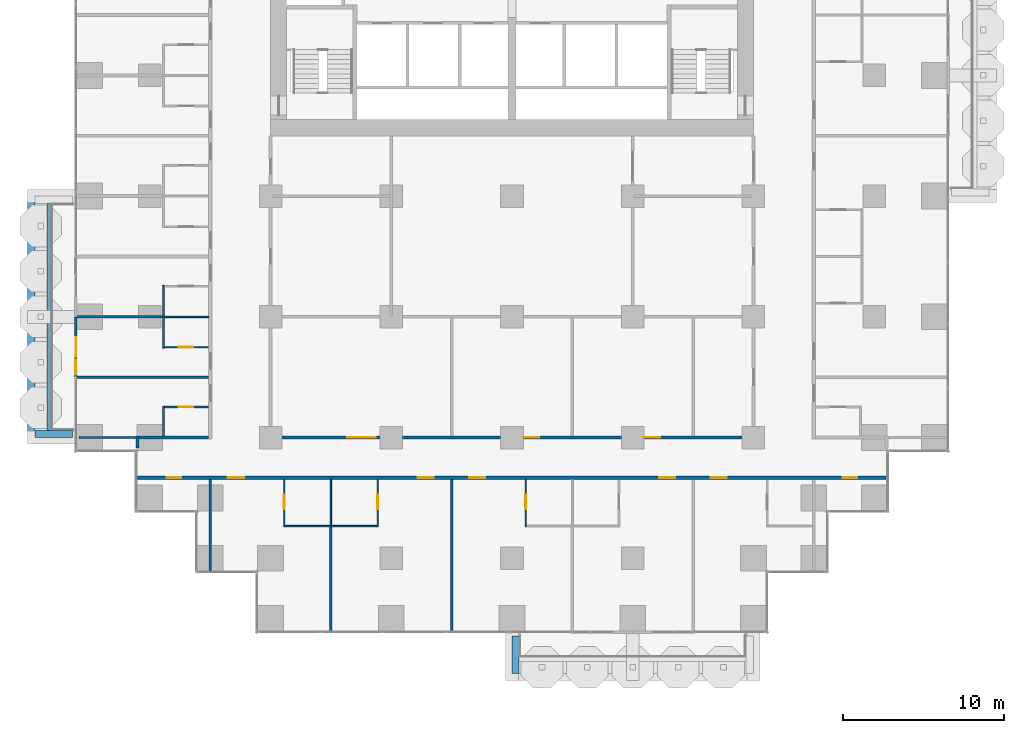
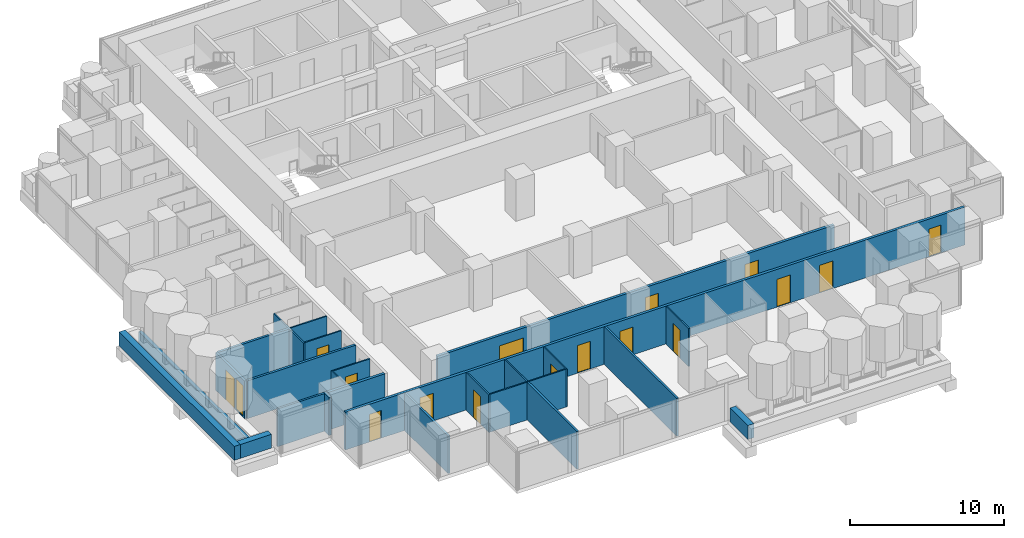
# One storey, part 10 of 18: 25 walls, 16 doors, 1 window, 17 openings.
"""IFC4 building model written with IfcOpenShell, lengths in metres."""

from ifc_helpers import new_model, si_unit, direction, frame, frame_2d, origin, place, context, subcontext, project, spatial, rectangle, extrude, material, layer, layer_set, type_object, element, fill, save


model = new_model("IFC4")

# Units and contexts
model_context = context("Model", 3, precision=1e-05, world=origin(), true_north=direction((0.0, 1.0)))
body_context = subcontext(model_context, "Body", "Model", "MODEL_VIEW")
ifc_project = project(units=[si_unit("LENGTHUNIT", "METRE"), si_unit("AREAUNIT", "SQUARE_METRE"), si_unit("VOLUMEUNIT", "CUBIC_METRE"), si_unit("PLANEANGLEUNIT", "RADIAN"), si_unit("MASSUNIT", "GRAM", prefix="KILO")], contexts=[model_context])

# Site, building, storey
site_placement = place(None, origin())
site = spatial("IfcSite", under=ifc_project, at=site_placement, CompositionType="ELEMENT")
building_placement = place(site_placement, origin())
building = spatial("IfcBuilding", under=site, at=building_placement, Name="Pilkhan Gate Tower", CompositionType="ELEMENT")
storey_placement = place(building_placement, frame((0.0, 0.0, 52.699951171875)))
storey = spatial("IfcBuildingStorey", under=building, at=storey_placement, Name="L10", CompositionType="ELEMENT", Elevation=52.699951171875)

# Walls
ifc_material_1 = material(Name="Dense blockwork", Category="masonry")
ifc_layer_1 = layer(ifc_material_1, 0.175048828125)
ifc_layer_set_1 = layer_set([ifc_layer_1], Name="Acoustic party wall PW175")
wall_type_1 = type_object("IfcWallType", Name="Acoustic party wall PW175", PredefinedType="PARTITIONING", material=ifc_layer_set_1)
wall_1_placement = place(storey_placement, frame((47.985107421875, 56.25, 0.0), z_axis=(0.0, 0.0, 1.0), x_axis=(1.0, 0.0, 0.0)))
element("IfcWall", 1, at=wall_1_placement, inside=storey, type_object=wall_type_1, Name="Partition L10", PredefinedType="PARTITIONING", context=body_context, shape_type="SweptSolid", body=[
    extrude(rectangle(XDim=8.164794921875, YDim=0.175048828125, at=frame_2d((4.08251953125, 0.0))), origin(), (0.0, 0.0, 1.0), 3.0),
])
wall_2_placement = place(storey_placement, frame((47.985107421875, 60.0, 0.0), z_axis=(0.0, 0.0, 1.0), x_axis=(1.0, 0.0, 0.0)))
element("IfcWall", 2, at=wall_2_placement, inside=storey, type_object=wall_type_1, Name="Partition L10", PredefinedType="PARTITIONING", context=body_context, shape_type="SweptSolid", body=[
    extrude(rectangle(XDim=5.31494140625, YDim=0.175048828125, at=frame_2d((2.657470703125, 0.0))), origin(), (0.0, 0.0, 1.0), 3.0),
])
ifc_material_2 = material(Name="Concrete C40/50", Category="concrete")
ifc_layer_2 = layer(ifc_material_2, 0.25)
ifc_layer_set_2 = layer_set([ifc_layer_2], Name="Balcony planter BP250")
wall_type_2 = type_object("IfcWallType", Name="Balcony planter BP250", PredefinedType="USERDEFINED", material=ifc_layer_set_2)
wall_3_placement = place(storey_placement, frame((46.22509765625, 52.949951171875, 0.0), z_axis=(0.0, 0.0, 1.0), x_axis=(0.0, 1.0, 0.0)))
element("IfcWall", 3, at=wall_3_placement, inside=storey, type_object=wall_type_2, Name="Balcony planter L10 W", ObjectType="BALCONY PLANTER", PredefinedType="USERDEFINED", context=body_context, shape_type="SweptSolid", body=[
    extrude(rectangle(XDim=14.10009765625, YDim=0.25, at=frame_2d((7.050048828125, 0.0))), origin(), (0.0, 0.0, 1.0), 1.0),
])
ifc_material_3 = material(Name="Board-marked Concrete C40/50", Category="concrete")
ifc_layer_3 = layer(ifc_material_3, 0.449951171875)
ifc_layer_set_3 = layer_set([ifc_layer_3], Name="Balcony planter lip BL450")
wall_type_3 = type_object("IfcWallType", Name="Balcony planter lip BL450", PredefinedType="USERDEFINED", material=ifc_layer_set_3)
wall_4_placement = place(storey_placement, frame((75.22509765625, 40.179931640625, 0.0), z_axis=(0.0, 0.0, 1.0), x_axis=(0.0, -1.0, 0.0)))
element("IfcWall", 4, at=wall_4_placement, inside=storey, type_object=wall_type_3, Name="Balcony planter L10 S", ObjectType="BALCONY PLANTER", PredefinedType="USERDEFINED", context=body_context, shape_type="SweptSolid", body=[
    extrude(rectangle(XDim=2.329833984375, YDim=0.449951171875, at=frame_2d((1.1650390625, 0.0))), origin(), (0.0, 0.0, 1.0), 1.10009765625),
])
wall_5_placement = place(storey_placement, frame((45.125, 52.5, 0.0), z_axis=(0.0, 0.0, 1.0), x_axis=(0.0, 1.0, 0.0)))
element("IfcWall", 5, at=wall_5_placement, inside=storey, type_object=wall_type_3, Name="Balcony planter L10 W", ObjectType="BALCONY PLANTER", PredefinedType="USERDEFINED", context=body_context, shape_type="SweptSolid", body=[
    extrude(rectangle(XDim=15.0, YDim=0.449951171875, at=frame_2d((7.5, 0.0))), origin(), (0.0, 0.0, 1.0), 1.10009765625),
])
wall_6_placement = place(storey_placement, frame((47.679931640625, 52.72509765625, 0.0), z_axis=(0.0, 0.0, 1.0), x_axis=(-1.0, 0.0, 0.0)))
element("IfcWall", 6, at=wall_6_placement, inside=storey, type_object=wall_type_3, Name="Balcony planter L10 W", ObjectType="BALCONY PLANTER", PredefinedType="USERDEFINED", context=body_context, shape_type="SweptSolid", body=[
    extrude(rectangle(XDim=2.329833984375, YDim=0.449951171875, at=frame_2d((1.1650390625, 0.0))), origin(), (0.0, 0.0, 1.0), 1.10009765625),
])

# Wall, openings, doors
ifc_layer_4 = layer(ifc_material_1, 0.199951171875)
ifc_layer_set_4 = layer_set([ifc_layer_4], Name="Corridor wall FW200")
wall_type_4 = type_object("IfcWallType", Name="Corridor wall FW200", PredefinedType="PARTITIONING", material=ifc_layer_set_4)
wall_7_placement = place(storey_placement, frame((51.735107421875, 50.0, 0.0), z_axis=(0.0, 0.0, 1.0), x_axis=(1.0, 0.0, 0.0)))
wall_7 = element("IfcWall", 7, at=wall_7_placement, inside=storey, type_object=wall_type_4, Name="Partition L10", PredefinedType="PARTITIONING", context=body_context, shape_type="SweptSolid", body=[
    extrude(rectangle(XDim=46.52978515625, YDim=0.199951171875, at=frame_2d((23.264892578125, 0.0))), origin(), (0.0, 0.0, 1.0), 3.0),
])
opening_1_placement = place(wall_7_placement, frame((5.614990234375, 0.0, 0.0)))
opening_1 = element("IfcOpeningElement", 8, at=opening_1_placement, cuts=wall_7, Name="Opening L10-06", PredefinedType="OPENING", context=body_context, shape_type="SweptSolid", body=[
    extrude(rectangle(XDim=1.0, YDim=2.199951171875, at=frame_2d((0.5, 1.10009765625))), frame((0.0, 0.10986328125, 0.0), z_axis=(0.0, -1.0, 0.0), x_axis=(1.0, 0.0, 0.0)), (0.0, 0.0, 1.0), 0.219970703125),
])
opening_2_placement = place(wall_7_placement, frame((17.4150390625, 0.0, 0.0)))
opening_2 = element("IfcOpeningElement", 9, at=opening_2_placement, cuts=wall_7, Name="Opening L10-08", PredefinedType="OPENING", context=body_context, shape_type="SweptSolid", body=[
    extrude(rectangle(XDim=1.0, YDim=2.199951171875, at=frame_2d((0.5, 1.10009765625))), frame((0.0, 0.10986328125, 0.0), z_axis=(0.0, -1.0, 0.0), x_axis=(1.0, 0.0, 0.0)), (0.0, 0.0, 1.0), 0.219970703125),
])
opening_3_placement = place(wall_7_placement, frame((20.614990234375, 0.0, 0.0)))
opening_3 = element("IfcOpeningElement", 10, at=opening_3_placement, cuts=wall_7, Name="Opening L10-10", PredefinedType="OPENING", context=body_context, shape_type="SweptSolid", body=[
    extrude(rectangle(XDim=1.0, YDim=2.199951171875, at=frame_2d((0.5, 1.10009765625))), frame((0.0, 0.10986328125, 0.0), z_axis=(0.0, -1.0, 0.0), x_axis=(1.0, 0.0, 0.0)), (0.0, 0.0, 1.0), 0.219970703125),
])
opening_4_placement = place(wall_7_placement, frame((32.4150390625, 0.0, 0.0)))
opening_4 = element("IfcOpeningElement", 11, at=opening_4_placement, cuts=wall_7, Name="Opening L10-12", PredefinedType="OPENING", context=body_context, shape_type="SweptSolid", body=[
    extrude(rectangle(XDim=1.0, YDim=2.199951171875, at=frame_2d((0.5, 1.10009765625))), frame((0.0, 0.10986328125, 0.0), z_axis=(0.0, -1.0, 0.0), x_axis=(1.0, 0.0, 0.0)), (0.0, 0.0, 1.0), 0.219970703125),
])
opening_5_placement = place(wall_7_placement, frame((35.614990234375, 0.0, 0.0)))
opening_5 = element("IfcOpeningElement", 12, at=opening_5_placement, cuts=wall_7, Name="Opening L10-14", PredefinedType="OPENING", context=body_context, shape_type="SweptSolid", body=[
    extrude(rectangle(XDim=1.0, YDim=2.199951171875, at=frame_2d((0.5, 1.10009765625))), frame((0.0, 0.10986328125, 0.0), z_axis=(0.0, -1.0, 0.0), x_axis=(1.0, 0.0, 0.0)), (0.0, 0.0, 1.0), 0.219970703125),
])
opening_6_placement = place(wall_7_placement, frame((1.800048828125, 0.0, 0.0)))
opening_6 = element("IfcOpeningElement", 13, at=opening_6_placement, cuts=wall_7, Name="Opening L10-47", PredefinedType="OPENING", context=body_context, shape_type="SweptSolid", body=[
    extrude(rectangle(XDim=0.89990234375, YDim=2.199951171875, at=frame_2d((0.449951171875, 1.10009765625))), frame((0.0, 0.10986328125, 0.0), z_axis=(0.0, -1.0, 0.0), x_axis=(1.0, 0.0, 0.0)), (0.0, 0.0, 1.0), 0.219970703125),
])
opening_7_placement = place(wall_7_placement, frame((43.81494140625, 0.0, 0.0)))
opening_7 = element("IfcOpeningElement", 14, at=opening_7_placement, cuts=wall_7, Name="Opening L10-48", PredefinedType="OPENING", context=body_context, shape_type="SweptSolid", body=[
    extrude(rectangle(XDim=0.89990234375, YDim=2.199951171875, at=frame_2d((0.449951171875, 1.10009765625))), frame((0.0, 0.10986328125, 0.0), z_axis=(0.0, -1.0, 0.0), x_axis=(1.0, 0.0, 0.0)), (0.0, 0.0, 1.0), 0.219970703125),
])
ifc_material_4 = material(Name="Timber flush door, 30 minute fire resisting", Category="wood")
door_type_1 = type_object("IfcDoorType", Name="Guest room door D01 1000x2200", OperationType="SINGLE_SWING_LEFT", PredefinedType="DOOR", material=ifc_material_4)
door_1_placement = place(opening_1_placement, origin())
door_1 = element("IfcDoor", 15, at=door_1_placement, inside=storey, type_object=door_type_1, Name="Guest room door", OperationType="SINGLE_SWING_LEFT", OverallHeight=2.199951171875, OverallWidth=1.0, PredefinedType="DOOR", context=body_context, shape_type="SweptSolid", body=[
    extrude(rectangle(XDim=1.0, YDim=2.199951171875, at=frame_2d((0.5, 1.10009765625))), frame((0.0, 0.02490234375, 0.0), z_axis=(0.0, -1.0, 0.0), x_axis=(1.0, 0.0, 0.0)), (0.0, 0.0, 1.0), 0.050048828125),
])
fill(opening_1, door_1)
door_2_placement = place(opening_2_placement, origin())
door_2 = element("IfcDoor", 16, at=door_2_placement, inside=storey, type_object=door_type_1, Name="Guest room door", OperationType="SINGLE_SWING_LEFT", OverallHeight=2.199951171875, OverallWidth=1.0, PredefinedType="DOOR", context=body_context, shape_type="SweptSolid", body=[
    extrude(rectangle(XDim=1.0, YDim=2.199951171875, at=frame_2d((0.5, 1.10009765625))), frame((0.0, 0.02490234375, 0.0), z_axis=(0.0, -1.0, 0.0), x_axis=(1.0, 0.0, 0.0)), (0.0, 0.0, 1.0), 0.050048828125),
])
fill(opening_2, door_2)
door_3_placement = place(opening_3_placement, origin())
door_3 = element("IfcDoor", 17, at=door_3_placement, inside=storey, type_object=door_type_1, Name="Guest room door", OperationType="SINGLE_SWING_LEFT", OverallHeight=2.199951171875, OverallWidth=1.0, PredefinedType="DOOR", context=body_context, shape_type="SweptSolid", body=[
    extrude(rectangle(XDim=1.0, YDim=2.199951171875, at=frame_2d((0.5, 1.10009765625))), frame((0.0, 0.02490234375, 0.0), z_axis=(0.0, -1.0, 0.0), x_axis=(1.0, 0.0, 0.0)), (0.0, 0.0, 1.0), 0.050048828125),
])
fill(opening_3, door_3)
door_4_placement = place(opening_4_placement, origin())
door_4 = element("IfcDoor", 18, at=door_4_placement, inside=storey, type_object=door_type_1, Name="Guest room door", OperationType="SINGLE_SWING_RIGHT", OverallHeight=2.199951171875, OverallWidth=1.0, PredefinedType="DOOR", context=body_context, shape_type="SweptSolid", body=[
    extrude(rectangle(XDim=1.0, YDim=2.199951171875, at=frame_2d((0.5, 1.10009765625))), frame((0.0, 0.02490234375, 0.0), z_axis=(0.0, -1.0, 0.0), x_axis=(1.0, 0.0, 0.0)), (0.0, 0.0, 1.0), 0.050048828125),
])
fill(opening_4, door_4)
door_5_placement = place(opening_5_placement, origin())
door_5 = element("IfcDoor", 19, at=door_5_placement, inside=storey, type_object=door_type_1, Name="Guest room door", OperationType="SINGLE_SWING_LEFT", OverallHeight=2.199951171875, OverallWidth=1.0, PredefinedType="DOOR", context=body_context, shape_type="SweptSolid", body=[
    extrude(rectangle(XDim=1.0, YDim=2.199951171875, at=frame_2d((0.5, 1.10009765625))), frame((0.0, 0.02490234375, 0.0), z_axis=(0.0, -1.0, 0.0), x_axis=(1.0, 0.0, 0.0)), (0.0, 0.0, 1.0), 0.050048828125),
])
fill(opening_5, door_5)
ifc_material_5 = material(Name="Timber flush door, 60 minute fire resisting, self-closing", Category="wood")
door_type_2 = type_object("IfcDoorType", Name="Store door D05 900x2200", OperationType="SINGLE_SWING_LEFT", PredefinedType="DOOR", material=ifc_material_5)
door_6_placement = place(opening_6_placement, origin())
door_6 = element("IfcDoor", 20, at=door_6_placement, inside=storey, type_object=door_type_2, Name="Store door", OperationType="SINGLE_SWING_LEFT", OverallHeight=2.199951171875, OverallWidth=0.89990234375, PredefinedType="DOOR", context=body_context, shape_type="SweptSolid", body=[
    extrude(rectangle(XDim=0.89990234375, YDim=2.199951171875, at=frame_2d((0.449951171875, 1.10009765625))), frame((0.0, 0.02490234375, 0.0), z_axis=(0.0, -1.0, 0.0), x_axis=(1.0, 0.0, 0.0)), (0.0, 0.0, 1.0), 0.050048828125),
])
fill(opening_6, door_6)
door_7_placement = place(opening_7_placement, origin())
door_7 = element("IfcDoor", 21, at=door_7_placement, inside=storey, type_object=door_type_2, Name="Store door", OperationType="SINGLE_SWING_LEFT", OverallHeight=2.199951171875, OverallWidth=0.89990234375, PredefinedType="DOOR", context=body_context, shape_type="SweptSolid", body=[
    extrude(rectangle(XDim=0.89990234375, YDim=2.199951171875, at=frame_2d((0.449951171875, 1.10009765625))), frame((0.0, 0.02490234375, 0.0), z_axis=(0.0, -1.0, 0.0), x_axis=(1.0, 0.0, 0.0)), (0.0, 0.0, 1.0), 0.050048828125),
])
fill(opening_7, door_7)

# Wall
wall_8_placement = place(storey_placement, frame((51.8349609375, 52.5, 0.0), z_axis=(0.0, 0.0, 1.0), x_axis=(1.0, 0.0, 0.0)))
element("IfcWall", 22, at=wall_8_placement, inside=storey, type_object=wall_type_4, Name="Partition L10", PredefinedType="PARTITIONING", context=body_context, shape_type="SweptSolid", body=[
    extrude(rectangle(XDim=4.31494140625, YDim=0.199951171875, at=frame_2d((2.157470703125, 0.0))), origin(), (0.0, 0.0, 1.0), 3.0),
])

# Wall, openings, doors
wall_9_placement = place(storey_placement, frame((60.10009765625, 52.5, 0.0), z_axis=(0.0, 0.0, 1.0), x_axis=(1.0, 0.0, 0.0)))
wall_9 = element("IfcWall", 23, at=wall_9_placement, inside=storey, type_object=wall_type_4, Name="Partition L10", PredefinedType="PARTITIONING", context=body_context, shape_type="SweptSolid", body=[
    extrude(rectangle(XDim=29.7998046875, YDim=0.199951171875, at=frame_2d((14.89990234375, 0.0))), origin(), (0.0, 0.0, 1.0), 3.0),
])
opening_8_placement = place(wall_9_placement, frame((4.64990234375, 0.0, 0.0)))
opening_8 = element("IfcOpeningElement", 24, at=opening_8_placement, cuts=wall_9, Name="Opening L10-51", PredefinedType="OPENING", context=body_context, shape_type="SweptSolid", body=[
    extrude(rectangle(XDim=1.800048828125, YDim=2.199951171875, at=frame_2d((0.89990234375, 1.10009765625))), frame((0.0, 0.10986328125, 0.0), z_axis=(0.0, -1.0, 0.0), x_axis=(1.0, 0.0, 0.0)), (0.0, 0.0, 1.0), 0.219970703125),
])
opening_9_placement = place(wall_9_placement, frame((15.60009765625, 0.0, 0.0)))
opening_9 = element("IfcOpeningElement", 25, at=opening_9_placement, cuts=wall_9, Name="Opening L10-52", PredefinedType="OPENING", context=body_context, shape_type="SweptSolid", body=[
    extrude(rectangle(XDim=1.0, YDim=2.199951171875, at=frame_2d((0.5, 1.10009765625))), frame((0.0, 0.10986328125, 0.0), z_axis=(0.0, -1.0, 0.0), x_axis=(1.0, 0.0, 0.0)), (0.0, 0.0, 1.0), 0.219970703125),
])
opening_10_placement = place(wall_9_placement, frame((23.10009765625, 0.0, 0.0)))
opening_10 = element("IfcOpeningElement", 26, at=opening_10_placement, cuts=wall_9, Name="Opening L10-53", PredefinedType="OPENING", context=body_context, shape_type="SweptSolid", body=[
    extrude(rectangle(XDim=1.0, YDim=2.199951171875, at=frame_2d((0.5, 1.10009765625))), frame((0.0, 0.10986328125, 0.0), z_axis=(0.0, -1.0, 0.0), x_axis=(1.0, 0.0, 0.0)), (0.0, 0.0, 1.0), 0.219970703125),
])
ifc_material_6 = material(Name="Timber glazed double door, 30 minute fire resisting", Category="wood")
door_type_3 = type_object("IfcDoorType", Name="Double door D04 1800x2200", OperationType="DOUBLE_DOOR_SINGLE_SWING", PredefinedType="DOOR", material=ifc_material_6)
door_8_placement = place(opening_8_placement, origin())
door_8 = element("IfcDoor", 27, at=door_8_placement, inside=storey, type_object=door_type_3, Name="Double door", OperationType="DOUBLE_DOOR_SINGLE_SWING", OverallHeight=2.199951171875, OverallWidth=1.800048828125, PredefinedType="DOOR", context=body_context, shape_type="SweptSolid", body=[
    extrude(rectangle(XDim=1.800048828125, YDim=2.199951171875, at=frame_2d((0.89990234375, 1.10009765625))), frame((0.0, 0.02490234375, 0.0), z_axis=(0.0, -1.0, 0.0), x_axis=(1.0, 0.0, 0.0)), (0.0, 0.0, 1.0), 0.050048828125),
])
fill(opening_8, door_8)
door_type_4 = type_object("IfcDoorType", Name="Room door D03 1000x2200", OperationType="SINGLE_SWING_LEFT", PredefinedType="DOOR", material=ifc_material_4)
door_9_placement = place(opening_9_placement, origin())
door_9 = element("IfcDoor", 28, at=door_9_placement, inside=storey, type_object=door_type_4, Name="Room door", OperationType="SINGLE_SWING_LEFT", OverallHeight=2.199951171875, OverallWidth=1.0, PredefinedType="DOOR", context=body_context, shape_type="SweptSolid", body=[
    extrude(rectangle(XDim=1.0, YDim=2.199951171875, at=frame_2d((0.5, 1.10009765625))), frame((0.0, 0.02490234375, 0.0), z_axis=(0.0, -1.0, 0.0), x_axis=(1.0, 0.0, 0.0)), (0.0, 0.0, 1.0), 0.050048828125),
])
fill(opening_9, door_9)
door_10_placement = place(opening_10_placement, origin())
door_10 = element("IfcDoor", 29, at=door_10_placement, inside=storey, type_object=door_type_4, Name="Room door", OperationType="SINGLE_SWING_LEFT", OverallHeight=2.199951171875, OverallWidth=1.0, PredefinedType="DOOR", context=body_context, shape_type="SweptSolid", body=[
    extrude(rectangle(XDim=1.0, YDim=2.199951171875, at=frame_2d((0.5, 1.10009765625))), frame((0.0, 0.02490234375, 0.0), z_axis=(0.0, -1.0, 0.0), x_axis=(1.0, 0.0, 0.0)), (0.0, 0.0, 1.0), 0.050048828125),
])
fill(opening_10, door_10)

# Wall
wall_10_placement = place(storey_placement, frame((51.735107421875, 51.85498046875, 0.0), z_axis=(0.0, 0.0, 1.0), x_axis=(0.0, 1.0, 0.0)))
element("IfcWall", 30, at=wall_10_placement, inside=storey, type_object=wall_type_4, Name="Partition L10", PredefinedType="PARTITIONING", context=body_context, shape_type="SweptSolid", body=[
    extrude(rectangle(XDim=0.7451171875, YDim=0.199951171875, at=frame_2d((0.37255859375, 0.0))), origin(), (0.0, 0.0, 1.0), 3.0),
])

# Wall, openings, door, window
ifc_material_7 = material(Name="Pale anodised aluminium, clear laminated glazing", Category="aluminium")
ifc_layer_5 = layer(ifc_material_7, 0.14990234375)
ifc_layer_set_5 = layer_set([ifc_layer_5], Name="Facade infill wall IW150")
wall_type_5 = type_object("IfcWallType", Name="Facade infill wall IW150", PredefinedType="SOLIDWALL", material=ifc_layer_set_5)
wall_11_placement = place(storey_placement, frame((47.905029296875, 56.25, 0.0), z_axis=(0.0, 0.0, 1.0), x_axis=(0.0, 1.0, 0.0)))
wall_11 = element("IfcWall", 31, at=wall_11_placement, inside=storey, type_object=wall_type_5, Name="Infill wall L10 W", PredefinedType="SOLIDWALL", context=body_context, shape_type="SweptSolid", body=[
    extrude(rectangle(XDim=3.75, YDim=0.14990234375, at=frame_2d((1.875, 0.0))), origin(), (0.0, 0.0, 1.0), 3.0),
])
opening_11_placement = place(wall_11_placement, frame((0.1875, 0.0, 0.10009765625)))
opening_11 = element("IfcOpeningElement", 32, at=opening_11_placement, cuts=wall_11, Name="Opening W1", PredefinedType="OPENING", context=body_context, shape_type="SweptSolid", body=[
    extrude(rectangle(XDim=0.89990234375, YDim=2.39990234375, at=frame_2d((0.449951171875, 1.199951171875))), frame((0.0, 0.0849609375, 0.0), z_axis=(0.0, -1.0, 0.0), x_axis=(1.0, 0.0, 0.0)), (0.0, 0.0, 1.0), 0.169921875),
])
opening_12_placement = place(wall_11_placement, frame((1.27490234375, 0.0, 0.0)))
opening_12 = element("IfcOpeningElement", 33, at=opening_12_placement, cuts=wall_11, Name="Opening D1", PredefinedType="OPENING", context=body_context, shape_type="SweptSolid", body=[
    extrude(rectangle(XDim=1.199951171875, YDim=2.39990234375, at=frame_2d((0.60009765625, 1.199951171875))), frame((0.0, 0.0849609375, 0.0), z_axis=(0.0, -1.0, 0.0), x_axis=(1.0, 0.0, 0.0)), (0.0, 0.0, 1.0), 0.169921875),
])
ifc_material_8 = material(Name="Pale anodised aluminium, clear glazing", Category="aluminium")
door_type_5 = type_object("IfcDoorType", Name="Balcony door D1 1200x2400", OperationType="SINGLE_SWING_LEFT", PredefinedType="DOOR", material=ifc_material_8)
door_11_placement = place(opening_12_placement, origin())
door_11 = element("IfcDoor", 34, at=door_11_placement, inside=storey, type_object=door_type_5, Name="Balcony door L10", OperationType="SINGLE_SWING_LEFT", OverallHeight=2.39990234375, OverallWidth=1.199951171875, PredefinedType="DOOR", context=body_context, shape_type="SweptSolid", body=[
    extrude(rectangle(XDim=1.199951171875, YDim=2.39990234375, at=frame_2d((0.60009765625, 1.199951171875))), frame((0.0, 0.02490234375, 0.0), z_axis=(0.0, -1.0, 0.0), x_axis=(1.0, 0.0, 0.0)), (0.0, 0.0, 1.0), 0.050048828125),
])
fill(opening_12, door_11)
ifc_material_9 = material(Name="Pale anodised aluminium, clear double glazing", Category="aluminium")
window_type = type_object("IfcWindowType", Name="Window W1 900x2400", PartitioningType="SINGLE_PANEL", PredefinedType="WINDOW", material=ifc_material_9)
window_placement = place(opening_11_placement, origin())
window = element("IfcWindow", 35, at=window_placement, inside=storey, type_object=window_type, Name="Window L10", OverallHeight=2.39990234375, OverallWidth=0.89990234375, PartitioningType="SINGLE_PANEL", PredefinedType="WINDOW", context=body_context, shape_type="SweptSolid", body=[
    extrude(rectangle(XDim=0.89990234375, YDim=2.39990234375, at=frame_2d((0.449951171875, 1.199951171875))), frame((0.0, 0.030029296875, 0.0), z_axis=(0.0, -1.0, 0.0), x_axis=(1.0, 0.0, 0.0)), (0.0, 0.0, 1.0), 0.06005859375),
])
fill(opening_11, window)

# Walls
ifc_material_10 = material(Name="Blockwork partition, plastered both sides", Category="masonry")
ifc_layer_6 = layer(ifc_material_10, 0.14990234375)
ifc_layer_set_6 = layer_set([ifc_layer_6], Name="Partition PW150")
wall_type_6 = type_object("IfcWallType", Name="Partition PW150", PredefinedType="PARTITIONING", material=ifc_layer_set_6)
wall_12_placement = place(storey_placement, frame((48.10498046875, 52.5, 0.0), z_axis=(0.0, 0.0, 1.0), x_axis=(1.0, 0.0, 0.0)))
element("IfcWall", 36, at=wall_12_placement, inside=storey, type_object=wall_type_6, Name="Partition L10", PredefinedType="PARTITIONING", context=body_context, shape_type="SweptSolid", body=[
    extrude(rectangle(XDim=3.530029296875, YDim=0.14990234375, at=frame_2d((1.76513671875, 0.0))), origin(), (0.0, 0.0, 1.0), 3.0),
])
wall_13_placement = place(storey_placement, frame((56.25, 44.235107421875, 0.0), z_axis=(0.0, 0.0, 1.0), x_axis=(0.0, 1.0, 0.0)))
element("IfcWall", 37, at=wall_13_placement, inside=storey, type_object=wall_type_6, Name="Partition L10", PredefinedType="PARTITIONING", context=body_context, shape_type="SweptSolid", body=[
    extrude(rectangle(XDim=5.664794921875, YDim=0.14990234375, at=frame_2d((2.83251953125, 0.0))), origin(), (0.0, 0.0, 1.0), 3.0),
])
wall_14_placement = place(storey_placement, frame((63.75, 40.485107421875, 0.0), z_axis=(0.0, 0.0, 1.0), x_axis=(0.0, 1.0, 0.0)))
element("IfcWall", 38, at=wall_14_placement, inside=storey, type_object=wall_type_6, Name="Partition L10", PredefinedType="PARTITIONING", context=body_context, shape_type="SweptSolid", body=[
    extrude(rectangle(XDim=6.46484375, YDim=0.14990234375, at=frame_2d((3.232421875, 0.0))), origin(), (0.0, 0.0, 1.0), 3.0),
])
wall_15_placement = place(storey_placement, frame((71.25, 40.485107421875, 0.0), z_axis=(0.0, 0.0, 1.0), x_axis=(0.0, 1.0, 0.0)))
element("IfcWall", 39, at=wall_15_placement, inside=storey, type_object=wall_type_6, Name="Partition L10", PredefinedType="PARTITIONING", context=body_context, shape_type="SweptSolid", body=[
    extrude(rectangle(XDim=9.414794921875, YDim=0.14990234375, at=frame_2d((4.70751953125, 0.0))), origin(), (0.0, 0.0, 1.0), 3.0),
])
ifc_material_11 = material(Name="Moisture resistant board, tiled")
ifc_layer_7 = layer(ifc_material_11, 0.10009765625)
ifc_layer_set_7 = layer_set([ifc_layer_7], Name="Wet wall PW100")
wall_type_7 = type_object("IfcWallType", Name="Wet wall PW100", PredefinedType="PARTITIONING", material=ifc_layer_set_7)
wall_16_placement = place(storey_placement, frame((60.89990234375, 47.0, 0.0), z_axis=(0.0, 0.0, 1.0), x_axis=(1.0, 0.0, 0.0)))
element("IfcWall", 40, at=wall_16_placement, inside=storey, type_object=wall_type_7, Name="Partition L10", PredefinedType="PARTITIONING", context=body_context, shape_type="SweptSolid", body=[
    extrude(rectangle(XDim=5.7001953125, YDim=0.10009765625, at=frame_2d((2.85009765625, 0.0))), origin(), (0.0, 0.0, 1.0), 3.0),
])

# Wall, opening, door
wall_17_placement = place(storey_placement, frame((53.39990234375, 54.39990234375, 0.0), z_axis=(0.0, 0.0, 1.0), x_axis=(1.0, 0.0, 0.0)))
wall_17 = element("IfcWall", 41, at=wall_17_placement, inside=storey, type_object=wall_type_7, Name="Partition L10", PredefinedType="PARTITIONING", context=body_context, shape_type="SweptSolid", body=[
    extrude(rectangle(XDim=2.75, YDim=0.10009765625, at=frame_2d((1.375, 0.0))), origin(), (0.0, 0.0, 1.0), 3.0),
])
opening_13_placement = place(wall_17_placement, frame((0.89990234375, 0.0, 0.0)))
opening_13 = element("IfcOpeningElement", 42, at=opening_13_placement, cuts=wall_17, Name="Opening L10-17", PredefinedType="OPENING", context=body_context, shape_type="SweptSolid", body=[
    extrude(rectangle(XDim=0.89990234375, YDim=2.199951171875, at=frame_2d((0.449951171875, 1.10009765625))), frame((0.0, 0.06005859375, 0.0), z_axis=(0.0, -1.0, 0.0), x_axis=(1.0, 0.0, 0.0)), (0.0, 0.0, 1.0), 0.1201171875),
])
ifc_material_12 = material(Name="Timber flush door", Category="wood")
door_type_6 = type_object("IfcDoorType", Name="Bathroom door D02 900x2200", OperationType="SINGLE_SWING_RIGHT", PredefinedType="DOOR", material=ifc_material_12)
door_12_placement = place(opening_13_placement, origin())
door_12 = element("IfcDoor", 43, at=door_12_placement, inside=storey, type_object=door_type_6, Name="Bathroom door", OperationType="SINGLE_SWING_RIGHT", OverallHeight=2.199951171875, OverallWidth=0.89990234375, PredefinedType="DOOR", context=body_context, shape_type="SweptSolid", body=[
    extrude(rectangle(XDim=0.89990234375, YDim=2.199951171875, at=frame_2d((0.449951171875, 1.10009765625))), frame((0.0, 0.02490234375, 0.0), z_axis=(0.0, -1.0, 0.0), x_axis=(1.0, 0.0, 0.0)), (0.0, 0.0, 1.0), 0.050048828125),
])
fill(opening_13, door_12)

wall_18_placement = place(storey_placement, frame((53.39990234375, 58.10009765625, 0.0), z_axis=(0.0, 0.0, 1.0), x_axis=(1.0, 0.0, 0.0)))
wall_18 = element("IfcWall", 44, at=wall_18_placement, inside=storey, type_object=wall_type_7, Name="Partition L10", PredefinedType="PARTITIONING", context=body_context, shape_type="SweptSolid", body=[
    extrude(rectangle(XDim=2.75, YDim=0.10009765625, at=frame_2d((1.375, 0.0))), origin(), (0.0, 0.0, 1.0), 3.0),
])
opening_14_placement = place(wall_18_placement, frame((0.89990234375, 0.0, 0.0)))
opening_14 = element("IfcOpeningElement", 45, at=opening_14_placement, cuts=wall_18, Name="Opening L10-19", PredefinedType="OPENING", context=body_context, shape_type="SweptSolid", body=[
    extrude(rectangle(XDim=0.89990234375, YDim=2.199951171875, at=frame_2d((0.449951171875, 1.10009765625))), frame((0.0, 0.06005859375, 0.0), z_axis=(0.0, -1.0, 0.0), x_axis=(1.0, 0.0, 0.0)), (0.0, 0.0, 1.0), 0.1201171875),
])
door_13_placement = place(opening_14_placement, origin())
door_13 = element("IfcDoor", 46, at=door_13_placement, inside=storey, type_object=door_type_6, Name="Bathroom door", OperationType="SINGLE_SWING_RIGHT", OverallHeight=2.199951171875, OverallWidth=0.89990234375, PredefinedType="DOOR", context=body_context, shape_type="SweptSolid", body=[
    extrude(rectangle(XDim=0.89990234375, YDim=2.199951171875, at=frame_2d((0.449951171875, 1.10009765625))), frame((0.0, 0.02490234375, 0.0), z_axis=(0.0, -1.0, 0.0), x_axis=(1.0, 0.0, 0.0)), (0.0, 0.0, 1.0), 0.050048828125),
])
fill(opening_14, door_13)

# Walls
wall_19_placement = place(storey_placement, frame((53.39990234375, 60.0, 0.0), z_axis=(0.0, 0.0, 1.0), x_axis=(1.0, 0.0, 0.0)))
element("IfcWall", 47, at=wall_19_placement, inside=storey, type_object=wall_type_7, Name="Partition L10", PredefinedType="PARTITIONING", context=body_context, shape_type="SweptSolid", body=[
    extrude(rectangle(XDim=2.75, YDim=0.10009765625, at=frame_2d((1.375, 0.0))), origin(), (0.0, 0.0, 1.0), 3.0),
])
wall_20_placement = place(storey_placement, frame((53.35009765625, 52.60009765625, 0.0), z_axis=(0.0, 0.0, 1.0), x_axis=(0.0, 1.0, 0.0)))
element("IfcWall", 48, at=wall_20_placement, inside=storey, type_object=wall_type_7, Name="Partition L10", PredefinedType="PARTITIONING", context=body_context, shape_type="SweptSolid", body=[
    extrude(rectangle(XDim=1.849853515625, YDim=0.10009765625, at=frame_2d((0.9248046875, 0.0))), origin(), (0.0, 0.0, 1.0), 3.0),
])
wall_21_placement = place(storey_placement, frame((53.35009765625, 58.050048828125, 0.0), z_axis=(0.0, 0.0, 1.0), x_axis=(0.0, 1.0, 0.0)))
element("IfcWall", 49, at=wall_21_placement, inside=storey, type_object=wall_type_7, Name="Partition L10", PredefinedType="PARTITIONING", context=body_context, shape_type="SweptSolid", body=[
    extrude(rectangle(XDim=3.89990234375, YDim=0.10009765625, at=frame_2d((1.949951171875, 0.0))), origin(), (0.0, 0.0, 1.0), 3.0),
])

# Wall, opening, door
wall_22_placement = place(storey_placement, frame((60.85009765625, 46.949951171875, 0.0), z_axis=(0.0, 0.0, 1.0), x_axis=(0.0, 1.0, 0.0)))
wall_22 = element("IfcWall", 50, at=wall_22_placement, inside=storey, type_object=wall_type_7, Name="Partition L10", PredefinedType="PARTITIONING", context=body_context, shape_type="SweptSolid", body=[
    extrude(rectangle(XDim=2.949951171875, YDim=0.10009765625, at=frame_2d((1.47509765625, 0.0))), origin(), (0.0, 0.0, 1.0), 3.0),
])
opening_15_placement = place(wall_22_placement, frame((1.10009765625, 0.0, 0.0)))
opening_15 = element("IfcOpeningElement", 51, at=opening_15_placement, cuts=wall_22, Name="Opening L10-07", PredefinedType="OPENING", context=body_context, shape_type="SweptSolid", body=[
    extrude(rectangle(XDim=0.89990234375, YDim=2.199951171875, at=frame_2d((0.449951171875, 1.10009765625))), frame((0.0, 0.06005859375, 0.0), z_axis=(0.0, -1.0, 0.0), x_axis=(1.0, 0.0, 0.0)), (0.0, 0.0, 1.0), 0.1201171875),
])
door_14_placement = place(opening_15_placement, origin())
door_14 = element("IfcDoor", 52, at=door_14_placement, inside=storey, type_object=door_type_6, Name="Bathroom door", OperationType="SINGLE_SWING_RIGHT", OverallHeight=2.199951171875, OverallWidth=0.89990234375, PredefinedType="DOOR", context=body_context, shape_type="SweptSolid", body=[
    extrude(rectangle(XDim=0.89990234375, YDim=2.199951171875, at=frame_2d((0.449951171875, 1.10009765625))), frame((0.0, 0.02490234375, 0.0), z_axis=(0.0, -1.0, 0.0), x_axis=(1.0, 0.0, 0.0)), (0.0, 0.0, 1.0), 0.050048828125),
])
fill(opening_15, door_14)

# Wall
wall_23_placement = place(storey_placement, frame((63.75, 47.050048828125, 0.0), z_axis=(0.0, 0.0, 1.0), x_axis=(0.0, 1.0, 0.0)))
element("IfcWall", 53, at=wall_23_placement, inside=storey, type_object=wall_type_7, Name="Partition L10", PredefinedType="PARTITIONING", context=body_context, shape_type="SweptSolid", body=[
    extrude(rectangle(XDim=2.849853515625, YDim=0.10009765625, at=frame_2d((1.4248046875, 0.0))), origin(), (0.0, 0.0, 1.0), 3.0),
])

# Wall, opening, door
wall_24_placement = place(storey_placement, frame((66.64990234375, 46.949951171875, 0.0), z_axis=(0.0, 0.0, 1.0), x_axis=(0.0, 1.0, 0.0)))
wall_24 = element("IfcWall", 54, at=wall_24_placement, inside=storey, type_object=wall_type_7, Name="Partition L10", PredefinedType="PARTITIONING", context=body_context, shape_type="SweptSolid", body=[
    extrude(rectangle(XDim=2.949951171875, YDim=0.10009765625, at=frame_2d((1.47509765625, 0.0))), origin(), (0.0, 0.0, 1.0), 3.0),
])
opening_16_placement = place(wall_24_placement, frame((1.10009765625, 0.0, 0.0)))
opening_16 = element("IfcOpeningElement", 55, at=opening_16_placement, cuts=wall_24, Name="Opening L10-09", PredefinedType="OPENING", context=body_context, shape_type="SweptSolid", body=[
    extrude(rectangle(XDim=0.89990234375, YDim=2.199951171875, at=frame_2d((0.449951171875, 1.10009765625))), frame((0.0, 0.06005859375, 0.0), z_axis=(0.0, -1.0, 0.0), x_axis=(1.0, 0.0, 0.0)), (0.0, 0.0, 1.0), 0.1201171875),
])
door_15_placement = place(opening_16_placement, origin())
door_15 = element("IfcDoor", 56, at=door_15_placement, inside=storey, type_object=door_type_6, Name="Bathroom door", OperationType="SINGLE_SWING_RIGHT", OverallHeight=2.199951171875, OverallWidth=0.89990234375, PredefinedType="DOOR", context=body_context, shape_type="SweptSolid", body=[
    extrude(rectangle(XDim=0.89990234375, YDim=2.199951171875, at=frame_2d((0.449951171875, 1.10009765625))), frame((0.0, 0.02490234375, 0.0), z_axis=(0.0, -1.0, 0.0), x_axis=(1.0, 0.0, 0.0)), (0.0, 0.0, 1.0), 0.050048828125),
])
fill(opening_16, door_15)

wall_25_placement = place(storey_placement, frame((75.85009765625, 46.949951171875, 0.0), z_axis=(0.0, 0.0, 1.0), x_axis=(0.0, 1.0, 0.0)))
wall_25 = element("IfcWall", 57, at=wall_25_placement, inside=storey, type_object=wall_type_7, Name="Partition L10", PredefinedType="PARTITIONING", context=body_context, shape_type="SweptSolid", body=[
    extrude(rectangle(XDim=2.949951171875, YDim=0.10009765625, at=frame_2d((1.47509765625, 0.0))), origin(), (0.0, 0.0, 1.0), 3.0),
])
opening_17_placement = place(wall_25_placement, frame((1.10009765625, 0.0, 0.0)))
opening_17 = element("IfcOpeningElement", 58, at=opening_17_placement, cuts=wall_25, Name="Opening L10-11", PredefinedType="OPENING", context=body_context, shape_type="SweptSolid", body=[
    extrude(rectangle(XDim=0.89990234375, YDim=2.199951171875, at=frame_2d((0.449951171875, 1.10009765625))), frame((0.0, 0.06005859375, 0.0), z_axis=(0.0, -1.0, 0.0), x_axis=(1.0, 0.0, 0.0)), (0.0, 0.0, 1.0), 0.1201171875),
])
door_16_placement = place(opening_17_placement, origin())
door_16 = element("IfcDoor", 59, at=door_16_placement, inside=storey, type_object=door_type_6, Name="Bathroom door", OperationType="SINGLE_SWING_RIGHT", OverallHeight=2.199951171875, OverallWidth=0.89990234375, PredefinedType="DOOR", context=body_context, shape_type="SweptSolid", body=[
    extrude(rectangle(XDim=0.89990234375, YDim=2.199951171875, at=frame_2d((0.449951171875, 1.10009765625))), frame((0.0, 0.02490234375, 0.0), z_axis=(0.0, -1.0, 0.0), x_axis=(1.0, 0.0, 0.0)), (0.0, 0.0, 1.0), 0.050048828125),
])
fill(opening_17, door_16)

save(model, "model.ifc")
